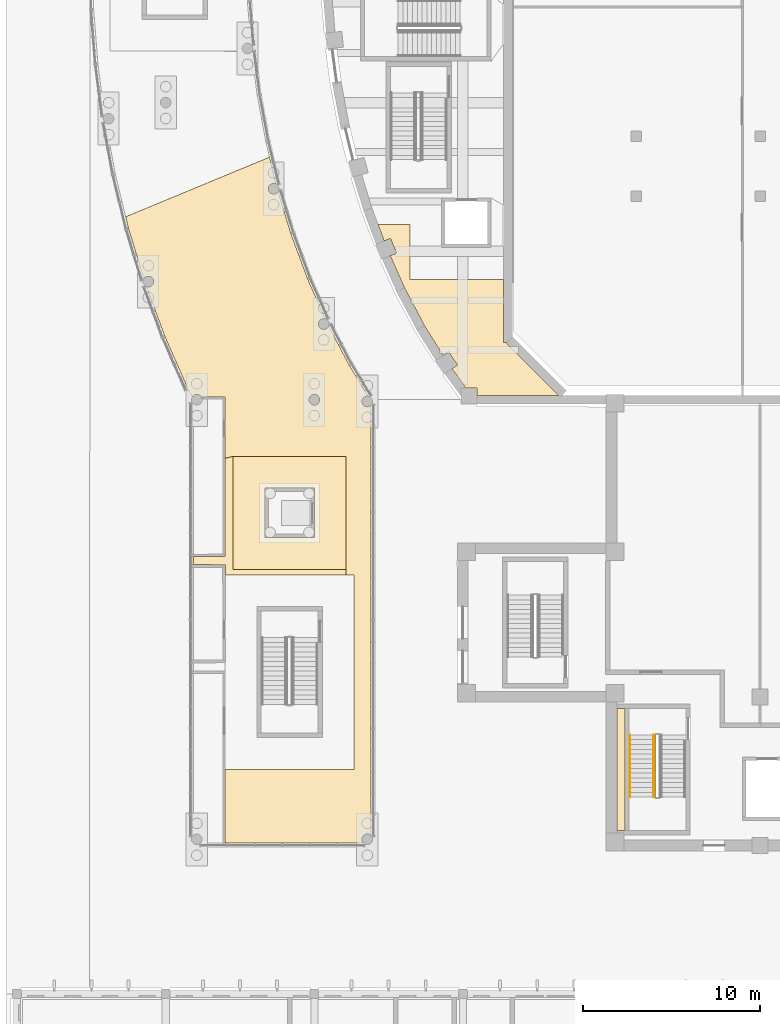
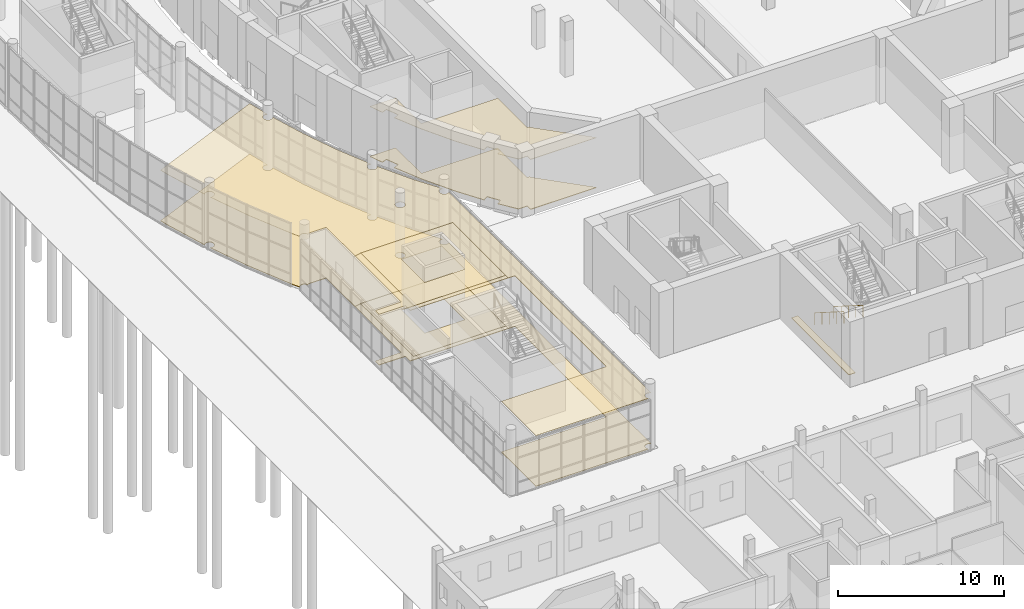
# One storey, part 82 of 110: 9 coverings, 2 railings.
"""IFC4 building model written with IfcOpenShell, lengths in metres."""

from ifc_helpers import new_model, si_unit, direction, frame, origin, origin_2d, place, context, subcontext, project, spatial, polyline, circle, outline, extrude, material, layer, layer_set, type_object, element, save


model = new_model("IFC4")

# Units and contexts
model_context = context("Model", 3, precision=1e-05, world=origin(), true_north=direction((0.0, 1.0)))
body_context = subcontext(model_context, "Body", "Model", "MODEL_VIEW")
ifc_project = project(units=[si_unit("LENGTHUNIT", "METRE"), si_unit("AREAUNIT", "SQUARE_METRE"), si_unit("VOLUMEUNIT", "CUBIC_METRE"), si_unit("PLANEANGLEUNIT", "RADIAN"), si_unit("MASSUNIT", "GRAM", prefix="KILO")], contexts=[model_context])

# Site, building, storey
site_placement = place(None, origin())
site = spatial("IfcSite", under=ifc_project, at=site_placement, CompositionType="ELEMENT")
building_placement = place(site_placement, origin())
building = spatial("IfcBuilding", under=site, at=building_placement, Name="Larchfold Concert Hall", CompositionType="ELEMENT")
storey_placement = place(building_placement, origin())
storey = spatial("IfcBuildingStorey", under=building, at=storey_placement, Name="L00", CompositionType="ELEMENT", Elevation=0.0)

# Coverings
ifc_material_1 = material(Name="Plasterboard ceiling lining")
ifc_layer_1 = layer(ifc_material_1, 0.030029296875)
ifc_layer_set_1 = layer_set([ifc_layer_1], Name="Plasterboard ceiling lining")
covering_type_1 = type_object("IfcCoveringType", Name="Ceiling suspended plasterboard 30", PredefinedType="CEILING", material=ifc_layer_set_1)
covering_1_placement = place(storey_placement, frame((0.0, 0.0, 3.670166015625)))
element("IfcCovering", 1, at=covering_1_placement, inside=storey, type_object=covering_type_1, Name="Ceiling Hall Foyer South West", PredefinedType="CEILING", context=body_context, shape_type="SweptSolid", body=[
    extrude(outline(polyline([(28.10009765625, 66.199951171875), (22.800048828125, 66.199951171875), (22.800048828125, 69.300048828125), (21.00634765625, 69.300048828125), (21.3505859375, 68.375244140625), (21.7080078125, 68.52099609375), (22.0478515625, 67.6875), (21.690673828125, 67.5419921875), (22.4970703125, 65.731201171875), (23.63134765625, 63.580078125), (24.67626953125, 61.89794921875), (24.993896484375, 62.112060546875), (25.4970703125, 61.36572265625), (25.179931640625, 61.152099609375), (25.987060546875, 60.0498046875), (26.60302734375, 60.0498046875), (26.60302734375, 59.64990234375), (31.196533203125, 59.64990234375), (28.24609375, 62.600341796875), (28.29443359375, 62.648681640625), (28.10009765625, 62.648681640625), (28.10009765625, 66.199951171875)])), origin(), (0.0, 0.0, 1.0), 0.030029296875),
])
covering_2_placement = place(storey_placement, frame((0.0, 0.0, 3.719970703125)))
element("IfcCovering", 2, at=covering_2_placement, inside=storey, type_object=covering_type_1, Name="Ceiling Foyer 04", PredefinedType="CEILING", context=body_context, shape_type="SweptSolid", body=[
    extrude(outline(polyline([(10.558349609375, 50.074951171875), (12.3740234375, 50.069091796875), (12.374267578125, 49.4990234375), (19.199462890625, 49.5), (19.199462890625, 49.80224609375), (12.80224609375, 49.8037109375), (12.8017578125, 56.197509765625), (12.362548828125, 56.087890625), (12.36181640625, 50.543701171875), (10.558349609375, 50.53759765625), (10.558349609375, 50.074951171875)])), origin(), (0.0, 0.0, 1.0), 0.030029296875),
])
covering_3_placement = place(storey_placement, frame((0.0, 0.0, 3.719970703125)))
element("IfcCovering", 3, at=covering_3_placement, inside=storey, type_object=covering_type_1, Name="Ceiling Foyer 05", PredefinedType="CEILING", context=body_context, shape_type="SweptSolid", body=[
    extrude(outline(polyline([(12.801025390625, 49.801025390625), (19.198974609375, 49.801025390625), (19.198974609375, 56.198974609375), (12.801025390625, 56.198974609375), (12.801025390625, 49.801025390625)]), holes=[polyline([(14.60009765625, 54.39990234375), (17.39990234375, 54.39990234375), (17.39990234375, 51.60009765625), (14.60009765625, 51.60009765625), (14.60009765625, 54.39990234375)])]), origin(), (0.0, 0.0, 1.0), 0.030029296875),
])
covering_4_placement = place(storey_placement, frame((0.0, 0.0, 3.719970703125)))
element("IfcCovering", 4, at=covering_4_placement, inside=storey, type_object=covering_type_1, Name="Ceiling Winter Garden Concourse South West", PredefinedType="CEILING", context=body_context, shape_type="SweptSolid", body=[
    extrude(outline(polyline([(12.300048828125, 38.5), (12.362548828125, 38.5), (12.362548828125, 34.35009765625), (12.300048828125, 34.349853515625), (20.17626953125, 34.349853515625), (20.13916015625, 34.400146484375), (20.121826171875, 34.435302734375), (20.109130859375, 34.472412109375), (20.098876953125, 34.550048828125), (20.109130859375, 34.627685546875), (20.121826171875, 34.664794921875), (20.160888671875, 34.732666015625), (20.186767578125, 34.76220703125), (20.2490234375, 34.809814453125), (20.2841796875, 34.8271484375), (20.35986328125, 34.847412109375), (20.39892578125, 34.85009765625), (20.43798828125, 34.847412109375), (20.513671875, 34.8271484375), (20.548828125, 34.809814453125), (20.598876953125, 34.77294921875), (20.598876953125, 59.078125), (20.548828125, 59.041259765625), (20.4765625, 59.01123046875), (20.43798828125, 59.003662109375), (20.35986328125, 59.003662109375), (20.2841796875, 59.02392578125), (20.21630859375, 59.06298828125), (20.186767578125, 59.0888671875), (20.13916015625, 59.151123046875), (20.109130859375, 59.223388671875), (20.098876953125, 59.301025390625), (20.109130859375, 59.378662109375), (20.121826171875, 59.415771484375), (20.160888671875, 59.483642578125), (20.21630859375, 59.5390625), (20.2841796875, 59.578125), (20.35986328125, 59.598388671875), (20.452392578125, 59.595703125), (19.3876953125, 61.325439453125), (18.212890625, 63.5732421875), (18.171142578125, 63.497314453125), (18.11572265625, 63.44189453125), (18.0478515625, 63.40283203125), (17.97216796875, 63.382568359375), (17.93310546875, 63.3798828125), (17.85546875, 63.39013671875), (17.783203125, 63.420166015625), (17.720947265625, 63.4677734375), (17.695068359375, 63.497314453125), (17.656005859375, 63.565185546875), (17.643310546875, 63.602294921875), (17.633056640625, 63.679931640625), (17.643310546875, 63.757568359375), (17.67333984375, 63.829833984375), (17.720947265625, 63.89208984375), (17.783203125, 63.939697265625), (17.85546875, 63.9697265625), (17.93310546875, 63.97998046875), (18.025390625, 63.96484375), (17.01708984375, 66.247802734375), (16.077880859375, 68.788818359375), (15.354736328125, 71.170654296875), (15.311279296875, 71.11474609375), (15.28173828125, 71.0888671875), (15.2138671875, 71.0498046875), (15.13818359375, 71.029541015625), (15.06005859375, 71.029541015625), (14.984375, 71.0498046875), (14.91650390625, 71.0888671875), (14.861083984375, 71.144287109375), (14.83935546875, 71.177001953125), (14.809326171875, 71.249267578125), (14.799072265625, 71.326904296875), (14.809326171875, 71.404541015625), (14.83935546875, 71.476806640625), (14.861083984375, 71.509521484375), (14.91650390625, 71.56494140625), (14.984375, 71.60400390625), (15.06005859375, 71.624267578125), (15.13818359375, 71.624267578125), (15.1767578125, 71.61669921875), (15.240478515625, 71.591064453125), (14.870849609375, 73.1142578125), (6.736083984375, 69.74462890625), (6.89794921875, 69.07763671875), (7.761474609375, 66.234130859375), (7.805908203125, 66.291259765625), (7.83544921875, 66.317138671875), (7.9033203125, 66.356201171875), (7.97900390625, 66.37646484375), (8.05712890625, 66.37646484375), (8.1328125, 66.356201171875), (8.20068359375, 66.317138671875), (8.256103515625, 66.26171875), (8.27783203125, 66.22900390625), (8.307861328125, 66.15673828125), (8.318115234375, 66.0791015625), (8.307861328125, 66.00146484375), (8.27783203125, 65.92919921875), (8.230224609375, 65.866943359375), (8.16796875, 65.8193359375), (8.095703125, 65.789306640625), (8.01806640625, 65.779052734375), (7.97900390625, 65.78173828125), (7.9072265625, 65.800537109375), (8.949951171875, 62.978759765625), (10.274658203125, 59.980224609375), (10.498779296875, 59.55078125), (10.5458984375, 59.612060546875), (10.608154296875, 59.65966796875), (10.680419921875, 59.689697265625), (10.758056640625, 59.699951171875), (10.797119140625, 59.697265625), (10.872802734375, 59.677001953125), (10.940673828125, 59.637939453125), (10.99609375, 59.58251953125), (11.017822265625, 59.5498046875), (11.043212890625, 59.491455078125), (11.078125, 59.491455078125), (11.078125, 59.5625), (12.362548828125, 59.5625), (12.362548828125, 56.087890625), (12.80908203125, 56.199951171875), (19.199951171875, 56.19091796875), (19.199462890625, 49.5), (19.650146484375, 49.490966796875), (19.6494140625, 38.506103515625), (12.300048828125, 38.5)]), holes=[polyline([(17.25, 59.14013671875), (17.187744140625, 59.187744140625), (17.161865234375, 59.21728515625), (17.122802734375, 59.28515625), (17.110107421875, 59.322265625), (17.099853515625, 59.39990234375), (17.1025390625, 59.43896484375), (17.122802734375, 59.5146484375), (17.14013671875, 59.5498046875), (17.187744140625, 59.612060546875), (17.21728515625, 59.637939453125), (17.28515625, 59.677001953125), (17.322265625, 59.689697265625), (17.36083984375, 59.697265625), (17.43896484375, 59.697265625), (17.5146484375, 59.677001953125), (17.5498046875, 59.65966796875), (17.58251953125, 59.637939453125), (17.637939453125, 59.58251953125), (17.677001953125, 59.5146484375), (17.689697265625, 59.4775390625), (17.699951171875, 59.39990234375), (17.697265625, 59.36083984375), (17.677001953125, 59.28515625), (17.65966796875, 59.25), (17.612060546875, 59.187744140625), (17.58251953125, 59.161865234375), (17.5146484375, 59.122802734375), (17.4775390625, 59.110107421875), (17.43896484375, 59.1025390625), (17.36083984375, 59.1025390625), (17.28515625, 59.122802734375), (17.25, 59.14013671875)])]), origin(), (0.0, 0.0, 1.0), 0.030029296875),
])
ifc_material_2 = material(Name="Polished terrazzo")
ifc_layer_2 = layer(ifc_material_2, 0.0400390625)
ifc_layer_set_2 = layer_set([ifc_layer_2], Name="Polished terrazzo")
covering_type_2 = type_object("IfcCoveringType", Name="Floor finish terrazzo 40", PredefinedType="FLOORING", material=ifc_layer_set_2)
covering_5_placement = place(storey_placement, origin())
element("IfcCovering", 5, at=covering_5_placement, inside=storey, type_object=covering_type_2, Name="Floor finish Hall Foyer South West", PredefinedType="FLOORING", context=body_context, shape_type="SweptSolid", body=[
    extrude(outline(polyline([(28.10009765625, 66.199951171875), (22.800048828125, 66.199951171875), (22.800048828125, 69.300048828125), (21.00634765625, 69.300048828125), (21.3505859375, 68.375244140625), (21.7080078125, 68.52099609375), (22.0478515625, 67.6875), (21.690673828125, 67.5419921875), (22.4970703125, 65.731201171875), (23.63134765625, 63.580078125), (24.67626953125, 61.89794921875), (24.993896484375, 62.112060546875), (25.4970703125, 61.36572265625), (25.179931640625, 61.152099609375), (25.987060546875, 60.0498046875), (26.60302734375, 60.0498046875), (26.60302734375, 59.64990234375), (31.196533203125, 59.64990234375), (28.24609375, 62.600341796875), (28.29443359375, 62.648681640625), (28.10009765625, 62.648681640625), (28.10009765625, 66.199951171875)])), origin(), (0.0, 0.0, 1.0), 0.0400390625),
])
covering_6_placement = place(storey_placement, origin())
element("IfcCovering", 6, at=covering_6_placement, inside=storey, type_object=covering_type_2, Name="Floor finish Stage Door Exit Lobby 01", PredefinedType="FLOORING", context=body_context, shape_type="SweptSolid", body=[
    extrude(outline(polyline([(34.5, 35.050048828125), (34.949951171875, 35.050048828125), (34.949951171875, 41.949951171875), (34.5, 41.949951171875), (34.5, 35.050048828125)])), origin(), (0.0, 0.0, 1.0), 0.0400390625),
])
covering_7_placement = place(storey_placement, origin())
element("IfcCovering", 7, at=covering_7_placement, inside=storey, type_object=covering_type_2, Name="Floor finish Foyer 04", PredefinedType="FLOORING", context=body_context, shape_type="SweptSolid", body=[
    extrude(outline(polyline([(10.558349609375, 50.074951171875), (12.3740234375, 50.069091796875), (12.374267578125, 49.4990234375), (19.199462890625, 49.5), (19.199462890625, 49.80224609375), (12.80224609375, 49.8037109375), (12.8017578125, 56.197509765625), (12.362548828125, 56.087890625), (12.36181640625, 50.543701171875), (10.558349609375, 50.53759765625), (10.558349609375, 50.074951171875)])), origin(), (0.0, 0.0, 1.0), 0.0400390625),
])
covering_8_placement = place(storey_placement, origin())
element("IfcCovering", 8, at=covering_8_placement, inside=storey, type_object=covering_type_2, Name="Floor finish Foyer 05", PredefinedType="FLOORING", context=body_context, shape_type="SweptSolid", body=[
    extrude(outline(polyline([(12.801025390625, 49.801025390625), (19.198974609375, 49.801025390625), (19.198974609375, 56.198974609375), (12.801025390625, 56.198974609375), (12.801025390625, 49.801025390625)]), holes=[polyline([(14.60009765625, 54.39990234375), (17.39990234375, 54.39990234375), (17.39990234375, 51.60009765625), (14.60009765625, 51.60009765625), (14.60009765625, 54.39990234375)])]), origin(), (0.0, 0.0, 1.0), 0.0400390625),
])
covering_9_placement = place(storey_placement, origin())
element("IfcCovering", 9, at=covering_9_placement, inside=storey, type_object=covering_type_2, Name="Floor finish Winter Garden Concourse South West", PredefinedType="FLOORING", context=body_context, shape_type="SweptSolid", body=[
    extrude(outline(polyline([(12.300048828125, 38.5), (12.362548828125, 38.5), (12.362548828125, 34.35009765625), (12.300048828125, 34.349853515625), (20.17626953125, 34.349853515625), (20.13916015625, 34.400146484375), (20.121826171875, 34.435302734375), (20.109130859375, 34.472412109375), (20.098876953125, 34.550048828125), (20.109130859375, 34.627685546875), (20.121826171875, 34.664794921875), (20.160888671875, 34.732666015625), (20.186767578125, 34.76220703125), (20.2490234375, 34.809814453125), (20.2841796875, 34.8271484375), (20.35986328125, 34.847412109375), (20.39892578125, 34.85009765625), (20.43798828125, 34.847412109375), (20.513671875, 34.8271484375), (20.548828125, 34.809814453125), (20.598876953125, 34.77294921875), (20.598876953125, 59.078125), (20.548828125, 59.041259765625), (20.4765625, 59.01123046875), (20.43798828125, 59.003662109375), (20.35986328125, 59.003662109375), (20.2841796875, 59.02392578125), (20.21630859375, 59.06298828125), (20.186767578125, 59.0888671875), (20.13916015625, 59.151123046875), (20.109130859375, 59.223388671875), (20.098876953125, 59.301025390625), (20.109130859375, 59.378662109375), (20.121826171875, 59.415771484375), (20.160888671875, 59.483642578125), (20.21630859375, 59.5390625), (20.2841796875, 59.578125), (20.35986328125, 59.598388671875), (20.452392578125, 59.595703125), (19.3876953125, 61.325439453125), (18.212890625, 63.5732421875), (18.171142578125, 63.497314453125), (18.11572265625, 63.44189453125), (18.0478515625, 63.40283203125), (17.97216796875, 63.382568359375), (17.93310546875, 63.3798828125), (17.85546875, 63.39013671875), (17.783203125, 63.420166015625), (17.720947265625, 63.4677734375), (17.695068359375, 63.497314453125), (17.656005859375, 63.565185546875), (17.643310546875, 63.602294921875), (17.633056640625, 63.679931640625), (17.643310546875, 63.757568359375), (17.67333984375, 63.829833984375), (17.720947265625, 63.89208984375), (17.783203125, 63.939697265625), (17.85546875, 63.9697265625), (17.93310546875, 63.97998046875), (18.025390625, 63.96484375), (17.01708984375, 66.247802734375), (16.077880859375, 68.788818359375), (15.354736328125, 71.170654296875), (15.311279296875, 71.11474609375), (15.28173828125, 71.0888671875), (15.2138671875, 71.0498046875), (15.13818359375, 71.029541015625), (15.06005859375, 71.029541015625), (14.984375, 71.0498046875), (14.91650390625, 71.0888671875), (14.861083984375, 71.144287109375), (14.83935546875, 71.177001953125), (14.809326171875, 71.249267578125), (14.799072265625, 71.326904296875), (14.809326171875, 71.404541015625), (14.83935546875, 71.476806640625), (14.861083984375, 71.509521484375), (14.91650390625, 71.56494140625), (14.984375, 71.60400390625), (15.06005859375, 71.624267578125), (15.13818359375, 71.624267578125), (15.1767578125, 71.61669921875), (15.240478515625, 71.591064453125), (14.870849609375, 73.1142578125), (6.736083984375, 69.74462890625), (6.89794921875, 69.07763671875), (7.761474609375, 66.234130859375), (7.805908203125, 66.291259765625), (7.83544921875, 66.317138671875), (7.9033203125, 66.356201171875), (7.97900390625, 66.37646484375), (8.05712890625, 66.37646484375), (8.1328125, 66.356201171875), (8.20068359375, 66.317138671875), (8.256103515625, 66.26171875), (8.27783203125, 66.22900390625), (8.307861328125, 66.15673828125), (8.318115234375, 66.0791015625), (8.307861328125, 66.00146484375), (8.27783203125, 65.92919921875), (8.230224609375, 65.866943359375), (8.16796875, 65.8193359375), (8.095703125, 65.789306640625), (8.01806640625, 65.779052734375), (7.97900390625, 65.78173828125), (7.9072265625, 65.800537109375), (8.949951171875, 62.978759765625), (10.274658203125, 59.980224609375), (10.498779296875, 59.55078125), (10.5458984375, 59.612060546875), (10.608154296875, 59.65966796875), (10.680419921875, 59.689697265625), (10.758056640625, 59.699951171875), (10.797119140625, 59.697265625), (10.872802734375, 59.677001953125), (10.940673828125, 59.637939453125), (10.99609375, 59.58251953125), (11.017822265625, 59.5498046875), (11.043212890625, 59.491455078125), (11.078125, 59.491455078125), (11.078125, 59.5625), (12.362548828125, 59.5625), (12.362548828125, 56.087890625), (12.80908203125, 56.199951171875), (19.199951171875, 56.19091796875), (19.199462890625, 49.5), (19.650146484375, 49.490966796875), (19.6494140625, 38.506103515625), (12.300048828125, 38.5)]), holes=[polyline([(17.25, 59.14013671875), (17.187744140625, 59.187744140625), (17.161865234375, 59.21728515625), (17.122802734375, 59.28515625), (17.110107421875, 59.322265625), (17.099853515625, 59.39990234375), (17.1025390625, 59.43896484375), (17.122802734375, 59.5146484375), (17.14013671875, 59.5498046875), (17.187744140625, 59.612060546875), (17.21728515625, 59.637939453125), (17.28515625, 59.677001953125), (17.322265625, 59.689697265625), (17.36083984375, 59.697265625), (17.43896484375, 59.697265625), (17.5146484375, 59.677001953125), (17.5498046875, 59.65966796875), (17.58251953125, 59.637939453125), (17.637939453125, 59.58251953125), (17.677001953125, 59.5146484375), (17.689697265625, 59.4775390625), (17.699951171875, 59.39990234375), (17.697265625, 59.36083984375), (17.677001953125, 59.28515625), (17.65966796875, 59.25), (17.612060546875, 59.187744140625), (17.58251953125, 59.161865234375), (17.5146484375, 59.122802734375), (17.4775390625, 59.110107421875), (17.43896484375, 59.1025390625), (17.36083984375, 59.1025390625), (17.28515625, 59.122802734375), (17.25, 59.14013671875)])]), origin(), (0.0, 0.0, 1.0), 0.0400390625),
])

# Railings
ifc_material_3 = material(Name="Stainless steel handrail", Category="steel")
railing_type = type_object("IfcRailingType", Name="Stair handrail 900", PredefinedType="HANDRAIL", material=ifc_material_3)
for number, where, name in (
    (10, (35.25, 40.449951171875, 0.17138671875), "Handrail HR0041"),
    (11, (36.579833984375, 40.449951171875, 0.17138671875), "Handrail HR0043"),
):
    element("IfcRailing", number, at=place(storey_placement, frame(where)), inside=storey, type_object=railing_type, Name=name, PredefinedType="HANDRAIL", context=body_context, shape_type="SweptSolid", body=[
        extrude(circle(Radius=0.02392578125, at=origin_2d()), frame((0.0, 0.0, 0.8759765625), z_axis=(0.0, -0.844219563411, 0.53599750816), x_axis=(1.0, 0.0, 0.0)), (0.0, 0.0, 1.0), 4.15771484375),
        extrude(circle(Radius=0.02099609375, at=origin_2d()), origin(), (0.0, 0.0, 1.0), 0.851806640625),
        extrude(circle(Radius=0.02099609375, at=origin_2d()), frame((0.0, -0.87744140625, 0.55712890625)), (0.0, 0.0, 1.0), 0.851806640625),
        extrude(circle(Radius=0.02099609375, at=origin_2d()), frame((0.0, -1.7548828125, 1.1142578125)), (0.0, 0.0, 1.0), 0.851806640625),
        extrude(circle(Radius=0.02099609375, at=origin_2d()), frame((0.0, -2.632568359375, 1.67138671875)), (0.0, 0.0, 1.0), 0.851806640625),
        extrude(circle(Radius=0.02099609375, at=origin_2d()), frame((0.0, -3.510009765625, 2.228515625)), (0.0, 0.0, 1.0), 0.851806640625),
    ])

save(model, "model.ifc")
